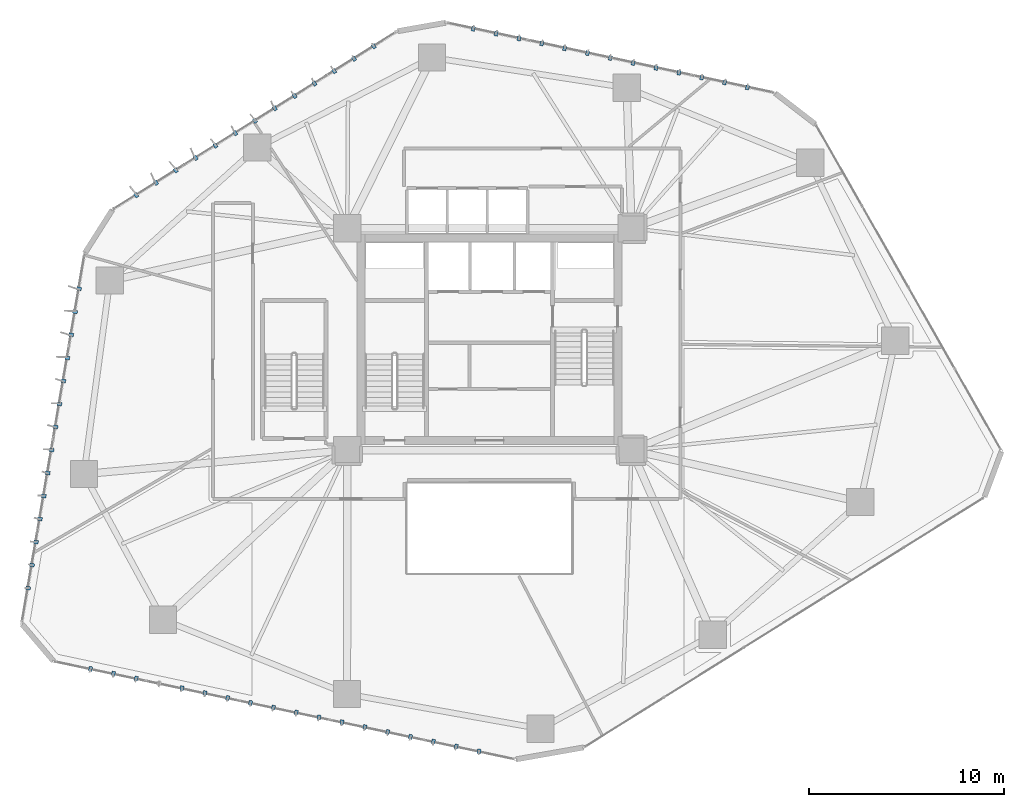
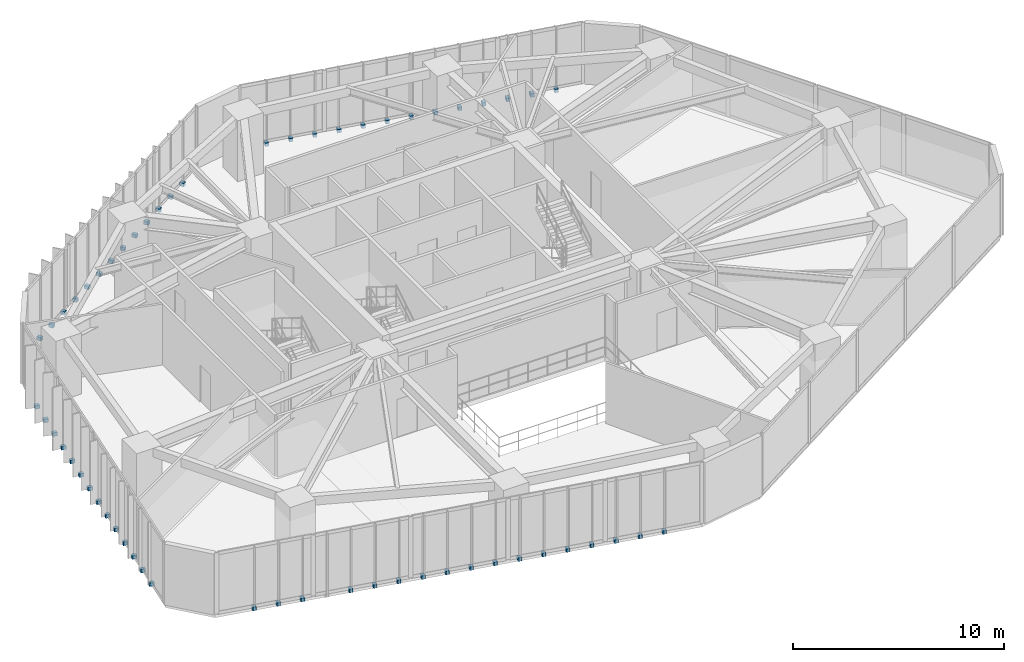
# One storey, part 19 of 22: 57 discrete accessories.
"""IFC4 building model written with IfcOpenShell, lengths in metres."""

import ifcopenshell
import ifcopenshell.guid

model = None  # the IFC model being written
_history = None  # IfcOwnerHistory: only IFC2X3 demands one
_inside = {}  # id of a spatial element -> (the spatial element, [elements in it])
_under = {}  # id of a project, library or spatial element -> (it, [spatial elements below it])
_declared = {}  # id of a project -> (the project, [libraries it declares])
_typed = {}  # id of a type object -> (the type object, [elements of that type])
_made_of = {}  # id of a material, layer set ... -> (it, [elements and type objects made of it])


def new_model(schema):
    """Start an empty IFC model of exactly this schema.

    Asked for "IFC4X3", IfcOpenShell would pick the latest addendum, in which some entities
    have other attributes; the version numbers below select the first issue.
    IFC2X3 requires an IfcOwnerHistory on every rooted entity: one is made here for all.
    """
    global model, _history
    if schema == "IFC4X3":
        model = ifcopenshell.file(schema_version=(4, 3, 0, 0))
    else:
        model = ifcopenshell.file(schema=schema)
    _inside.clear()
    _under.clear()
    _declared.clear()
    _typed.clear()
    _made_of.clear()
    _history = None
    if model.schema == "IFC2X3":
        org = make("IfcOrganization", Name="unknown")
        user = make(
            "IfcPersonAndOrganization",
            ThePerson=make("IfcPerson", FamilyName="unknown"),
            TheOrganization=org,
        )
        app = make(
            "IfcApplication",
            ApplicationDeveloper=org,
            Version="unknown",
            ApplicationFullName="unknown",
            ApplicationIdentifier="unknown",
        )
        _history = make(
            "IfcOwnerHistory",
            OwningUser=user,
            OwningApplication=app,
            ChangeAction="ADDED",
            CreationDate=0,
        )
    return model


def make(cls, **values):
    """One entity of the class cls with the attributes given. An attribute that is None is left unset."""
    return model.create_entity(
        cls, **{name: value for name, value in values.items() if value is not None}
    )


def rooted(cls, **values):
    """An entity with a GlobalId (a new one), such as an element, a storey or a relation."""
    return make(cls, GlobalId=ifcopenshell.guid.new(), OwnerHistory=_history, **values)


def si_unit(unit_type, name, prefix=None):
    """IfcSIUnit, for example si_unit("LENGTHUNIT", "METRE", prefix="MILLI")."""
    return make("IfcSIUnit", UnitType=unit_type, Prefix=prefix, Name=name)


def assignment(units):
    """IfcUnitAssignment: the units of a project."""
    return None if units is None else make("IfcUnitAssignment", Units=units)


def point(xyz):
    """IfcCartesianPoint."""
    return None if xyz is None else make("IfcCartesianPoint", Coordinates=xyz)


def direction(xyz):
    """IfcDirection."""
    return None if xyz is None else make("IfcDirection", DirectionRatios=xyz)


def frame(location, z_axis=None, x_axis=None):
    """IfcAxis2Placement3D, a coordinate frame: its origin and axes. An axis left out is left unset."""
    return make(
        "IfcAxis2Placement3D",
        Location=point(location),
        Axis=direction(z_axis),
        RefDirection=direction(x_axis),
    )


def frame_2d(location, x_axis=None):
    """IfcAxis2Placement2D, a coordinate frame in the plane: its origin and x axis."""
    return make(
        "IfcAxis2Placement2D", Location=point(location), RefDirection=direction(x_axis)
    )


def origin():
    """The frame at (0, 0, 0) with its axes left unset."""
    return frame((0.0, 0.0, 0.0))


def origin_2d():
    """The frame at (0, 0) in the plane with its x axis left unset."""
    return frame_2d((0.0, 0.0))


def place(relative_to, where):
    """IfcLocalPlacement: puts the frame where relative to a parent placement (None: the world)."""
    return make(
        "IfcLocalPlacement", PlacementRelTo=relative_to, RelativePlacement=where
    )


def context(
    kind, dimensions, precision=None, world=None, true_north=None, identifier=None
):
    """IfcGeometricRepresentationContext, for example the 3D "Model" context."""
    return make(
        "IfcGeometricRepresentationContext",
        ContextIdentifier=identifier,
        ContextType=kind,
        CoordinateSpaceDimension=dimensions,
        Precision=precision,
        WorldCoordinateSystem=world,
        TrueNorth=true_north,
    )


def subcontext(parent, identifier, kind, view, scale=None):
    """IfcGeometricRepresentationSubContext, for example "Body" below "Model"."""
    return make(
        "IfcGeometricRepresentationSubContext",
        ContextIdentifier=identifier,
        ContextType=kind,
        ParentContext=parent,
        TargetScale=scale,
        TargetView=view,
    )


def project(units=None, contexts=None):
    """IfcProject with its units and contexts."""
    return rooted(
        "IfcProject",
        Name="project",
        RepresentationContexts=contexts,
        UnitsInContext=assignment(units),
    )


def spatial(cls, under=None, at=None, **own):
    """A site, building, storey or space (cls), placed at a placement, below another one or the project."""
    s = rooted(cls, ObjectPlacement=at, **own)
    if under is not None:
        _under.setdefault(under.id(), (under, []))[1].append(s)
    return s


def profile(cls, at=None, kind="AREA", **sizes):
    """A parametric profile (cls). Its sizes go by their IFC names, for example OverallWidth=200.0."""
    return make(cls, ProfileType=kind, Position=at, **sizes)


def rectangle(**sizes):
    """IfcRectangleProfileDef."""
    return profile("IfcRectangleProfileDef", **sizes)


def extrude(swept, where, along, depth):
    """IfcExtrudedAreaSolid: the profile swept, set in the frame where, extruded along a direction by depth."""
    return make(
        "IfcExtrudedAreaSolid",
        SweptArea=swept,
        Position=where,
        ExtrudedDirection=direction(along),
        Depth=depth,
    )


def shape(context_of_items, identifier, shape_type, items):
    """IfcShapeRepresentation: the items that make up one representation, for example the "Body"."""
    return make(
        "IfcShapeRepresentation",
        ContextOfItems=context_of_items,
        RepresentationIdentifier=identifier,
        RepresentationType=shape_type,
        Items=items,
    )


def source(mapping_origin, context_of_items, identifier, shape_type, items):
    """IfcRepresentationMap: a shape defined once, which mapped items show again and again."""
    return make(
        "IfcRepresentationMap",
        MappingOrigin=mapping_origin,
        MappedRepresentation=shape(context_of_items, identifier, shape_type, items),
    )


def transform(
    local_origin,
    x_axis=None,
    y_axis=None,
    z_axis=None,
    scale=None,
    scale2=None,
    scale3=None,
    uniform=True,
):
    """IfcCartesianTransformationOperator3D, or its non-uniform kind. x_axis, y_axis, z_axis: its Axis1, 2, 3."""
    if uniform:
        return make(
            "IfcCartesianTransformationOperator3D",
            Axis1=direction(x_axis),
            Axis2=direction(y_axis),
            LocalOrigin=point(local_origin),
            Scale=scale,
            Axis3=direction(z_axis),
        )
    return make(
        "IfcCartesianTransformationOperator3DnonUniform",
        Axis1=direction(x_axis),
        Axis2=direction(y_axis),
        LocalOrigin=point(local_origin),
        Scale=scale,
        Axis3=direction(z_axis),
        Scale2=scale2,
        Scale3=scale3,
    )


def mapped(mapping_source, mapping_target):
    """IfcMappedItem: shows the shape of a source again, moved by a transform."""
    return make(
        "IfcMappedItem", MappingSource=mapping_source, MappingTarget=mapping_target
    )


def material(Name=None, Category=None):
    """IfcMaterial."""
    return make("IfcMaterial", Name=Name, Category=Category)


def made_of(thing, what):
    """Note that an element or type object is made of a material, layer set ...; save() writes the relation."""
    if what is not None:
        _made_of.setdefault(what.id(), (what, []))[1].append(thing)
    return thing


def type_object(cls, material=None, **own):
    """A type object (cls), such as IfcWallType, which elements share."""
    return made_of(rooted(cls, **own), material)


def type_shapes(of_type, sources):
    """Give a type object the sources (RepresentationMaps) that its elements show as mapped items."""
    of_type.RepresentationMaps = sources


def element(
    cls,
    number,
    at=None,
    inside=None,
    cuts=None,
    type_object=None,
    material=None,
    context=None,
    identifier="Body",
    shape_type=None,
    held_by="IfcProductDefinitionShape",
    body=None,
    shapes=None,
    **own,
):
    """One element of the class cls, such as IfcWall. Its Tag is "e" and its number.

    at: its placement. inside: the storey or other place that contains it. cuts: it is an
    opening in that element (IfcRelVoidsElement). A single representation is given by context,
    identifier, shape_type and body (its items); several are given by shapes. held_by: the class
    of the entity that holds the representations. save() writes the other relations.
    """
    e = rooted(cls, Tag="e%d" % number, ObjectPlacement=at, **own)
    if body is not None:
        shapes = [shape(context, identifier, shape_type, body)]
    if shapes is not None:
        e.Representation = make(held_by, Representations=shapes)
    if inside is not None:
        _inside.setdefault(inside.id(), (inside, []))[1].append(e)
    if cuts is not None:
        rooted(
            "IfcRelVoidsElement", RelatingBuildingElement=cuts, RelatedOpeningElement=e
        )
    if type_object is not None:
        _typed.setdefault(type_object.id(), (type_object, []))[1].append(e)
    return made_of(e, material)


def aggregate(whole, parts):
    """IfcRelAggregates: a whole, such as a stair, and the parts it consists of."""
    return rooted("IfcRelAggregates", RelatingObject=whole, RelatedObjects=parts)


def save(model, path):
    """Write the relations noted so far, then the file.

    IfcRelAggregates (storeys below a building ...), IfcRelContainedInSpatialStructure (elements
    in a storey), IfcRelDefinesByType, IfcRelAssociatesMaterial and IfcRelDeclares: one each for
    every whole, place, type object, material and project.
    """
    for whole, parts in _under.values():
        aggregate(whole, parts)
    for where, things in _inside.values():
        rooted(
            "IfcRelContainedInSpatialStructure",
            RelatedElements=things,
            RelatingStructure=where,
        )
    for kind, things in _typed.values():
        rooted("IfcRelDefinesByType", RelatedObjects=things, RelatingType=kind)
    for what, things in _made_of.values():
        rooted("IfcRelAssociatesMaterial", RelatedObjects=things, RelatingMaterial=what)
    for by, libraries in _declared.values():
        rooted("IfcRelDeclares", RelatingContext=by, RelatedDefinitions=libraries)
    model.write(path)


model = new_model("IFC4")

# Units and contexts
model_context = context("Model", 3, precision=1e-05, world=origin(), true_north=direction((0.0, 1.0)))
body_context = subcontext(model_context, "Body", "Model", "MODEL_VIEW")
ifc_project = project(units=[si_unit("LENGTHUNIT", "METRE"), si_unit("AREAUNIT", "SQUARE_METRE"), si_unit("VOLUMEUNIT", "CUBIC_METRE"), si_unit("PLANEANGLEUNIT", "RADIAN"), si_unit("MASSUNIT", "GRAM", prefix="KILO")], contexts=[model_context])

# Site, building, storey
site_placement = place(None, origin())
site = spatial("IfcSite", under=ifc_project, at=site_placement, CompositionType="ELEMENT")
building_placement = place(site_placement, origin())
building = spatial("IfcBuilding", under=site, at=building_placement, Name="Talar Marvaseh", CompositionType="ELEMENT")
storey_placement = place(building_placement, frame((0.0, 0.0, 54.39990234375)))
storey = spatial("IfcBuildingStorey", under=building, at=storey_placement, Name="L13", CompositionType="ELEMENT", Elevation=54.39990234375)

# Discrete accessories
ifc_material = material(Name="Stainless Steel Grade 316", Category="steel")
discrete_accessory_type = type_object("IfcDiscreteAccessoryType", Name="Stainless Slab-Edge Fin Mounting Bracket", PredefinedType="BRACKET", material=ifc_material)
shared_shape = source(origin(), body_context, "Body", "SweptSolid", [
    extrude(rectangle(XDim=0.239990234375, YDim=0.179931640625, at=origin_2d()), origin(), (0.0, 0.0, 1.0), 0.199951171875),
])
type_shapes(discrete_accessory_type, [shared_shape])
for number, where, z_axis, x_axis, name in (
    (1, (2.306396484375, 18.41552734375, -0.1796875), (0.0, 0.0, 1.0), (-0.985850128464, 0.167629126969, 0.0), "L13 Vertical Fin Slab-Edge Bracket"),
    (2, (2.5078125, 19.598388671875, -0.1796875), (0.0, 0.0, 1.0), (-0.985850128464, 0.167629126969, 0.0), "L13 Vertical Fin Slab-Edge Bracket"),
    (3, (2.708984375, 20.781494140625, -0.1796875), (0.0, 0.0, 1.0), (-0.985850128464, 0.167629126969, 0.0), "L13 Vertical Fin Slab-Edge Bracket"),
    (4, (2.91015625, 21.964599609375, -0.1796875), (0.0, 0.0, 1.0), (-0.985850128464, 0.167629126969, 0.0), "L13 Vertical Fin Slab-Edge Bracket"),
    (5, (3.111328125, 23.1474609375, -0.1796875), (0.0, 0.0, 1.0), (-0.985850128464, 0.167629126969, 0.0), "L13 Vertical Fin Slab-Edge Bracket"),
    (6, (3.3125, 24.33056640625, -0.1796875), (0.0, 0.0, 1.0), (-0.985850128464, 0.167629126969, 0.0), "L13 Vertical Fin Slab-Edge Bracket"),
    (7, (3.513916015625, 25.513671875, -0.1796875), (0.0, 0.0, 1.0), (-0.985850128464, 0.167629126969, 0.0), "L13 Vertical Fin Slab-Edge Bracket"),
    (8, (3.715087890625, 26.696533203125, -0.1796875), (0.0, 0.0, 1.0), (-0.985850128464, 0.167629126969, 0.0), "L13 Vertical Fin Slab-Edge Bracket"),
    (9, (3.916259765625, 27.879638671875, -0.1796875), (0.0, 0.0, 1.0), (-0.985850128464, 0.167629126969, 0.0), "L13 Vertical Fin Slab-Edge Bracket"),
    (10, (4.117431640625, 29.0625, -0.1796875), (0.0, 0.0, 1.0), (-0.985850128464, 0.167629126969, 0.0), "L13 Vertical Fin Slab-Edge Bracket"),
    (11, (4.31884765625, 30.24560546875, -0.1796875), (0.0, 0.0, 1.0), (-0.985850128464, 0.167629126969, 0.0), "L13 Vertical Fin Slab-Edge Bracket"),
    (12, (4.52001953125, 31.4287109375, -0.1796875), (0.0, 0.0, 1.0), (-0.985850128464, 0.167629126969, 0.0), "L13 Vertical Fin Slab-Edge Bracket"),
    (13, (4.72119140625, 32.611572265625, -0.1796875), (0.0, 0.0, 1.0), (-0.985850128464, 0.167629126969, 0.0), "L13 Vertical Fin Slab-Edge Bracket"),
    (14, (4.922607421875, 33.794677734375, -0.1796875), (0.0, 0.0, 1.0), (-0.985850128464, 0.167629126969, 0.0), "L13 Vertical Fin Slab-Edge Bracket"),
    (15, (7.859375, 38.6005859375, -0.1796875), (0.0, 0.0, 1.0), (-0.530954954695, 0.847400044893, 0.0), "L13 Vertical Fin Slab-Edge Bracket"),
    (16, (8.876220703125, 39.237548828125, -0.1796875), (0.0, 0.0, 1.0), (-0.530954954695, 0.847400044893, 0.0), "L13 Vertical Fin Slab-Edge Bracket"),
    (17, (9.89306640625, 39.874755859375, -0.1796875), (0.0, 0.0, 1.0), (-0.530954954695, 0.847400044893, 0.0), "L13 Vertical Fin Slab-Edge Bracket"),
    (18, (10.909912109375, 40.511962890625, -0.1796875), (0.0, 0.0, 1.0), (-0.530954954695, 0.847400044893, 0.0), "L13 Vertical Fin Slab-Edge Bracket"),
    (19, (11.927001953125, 41.14892578125, -0.1796875), (0.0, 0.0, 1.0), (-0.530954954695, 0.847400044893, 0.0), "L13 Vertical Fin Slab-Edge Bracket"),
    (20, (12.94384765625, 41.7861328125, -0.1796875), (0.0, 0.0, 1.0), (-0.530954954695, 0.847400044893, 0.0), "L13 Vertical Fin Slab-Edge Bracket"),
    (21, (13.960693359375, 42.423095703125, -0.1796875), (0.0, 0.0, 1.0), (-0.530954954695, 0.847400044893, 0.0), "L13 Vertical Fin Slab-Edge Bracket"),
    (22, (14.9775390625, 43.060302734375, -0.1796875), (0.0, 0.0, 1.0), (-0.530954954695, 0.847400044893, 0.0), "L13 Vertical Fin Slab-Edge Bracket"),
    (23, (15.994384765625, 43.697509765625, -0.1796875), (0.0, 0.0, 1.0), (-0.530954954695, 0.847400044893, 0.0), "L13 Vertical Fin Slab-Edge Bracket"),
    (24, (17.011474609375, 44.33447265625, -0.1796875), (0.0, 0.0, 1.0), (-0.530954954695, 0.847400044893, 0.0), "L13 Vertical Fin Slab-Edge Bracket"),
    (25, (18.0283203125, 44.9716796875, -0.1796875), (0.0, 0.0, 1.0), (-0.530954954695, 0.847400044893, 0.0), "L13 Vertical Fin Slab-Edge Bracket"),
    (26, (19.045166015625, 45.60888671875, -0.1796875), (0.0, 0.0, 1.0), (-0.530954954695, 0.847400044893, 0.0), "L13 Vertical Fin Slab-Edge Bracket"),
    (27, (20.06201171875, 46.245849609375, -0.1796875), (0.0, 0.0, 1.0), (-0.530954954695, 0.847400044893, 0.0), "L13 Vertical Fin Slab-Edge Bracket"),
    (28, (25.16845703125, 47.146240234375, -0.1796875), (0.0, 0.0, 1.0), (0.209106568088, 0.977892858744, 0.0), "L13 Vertical Fin Slab-Edge Bracket"),
    (29, (26.341796875, 46.8955078125, -0.1796875), (0.0, 0.0, 1.0), (0.209106568088, 0.977892858744, 0.0), "L13 Vertical Fin Slab-Edge Bracket"),
    (30, (27.515380859375, 46.64453125, -0.1796875), (0.0, 0.0, 1.0), (0.209106568088, 0.977892858744, 0.0), "L13 Vertical Fin Slab-Edge Bracket"),
    (31, (28.688720703125, 46.3935546875, -0.1796875), (0.0, 0.0, 1.0), (0.209106568088, 0.977892858744, 0.0), "L13 Vertical Fin Slab-Edge Bracket"),
    (32, (29.8623046875, 46.142578125, -0.1796875), (0.0, 0.0, 1.0), (0.209106568088, 0.977892858744, 0.0), "L13 Vertical Fin Slab-Edge Bracket"),
    (33, (31.035888671875, 45.891845703125, -0.1796875), (0.0, 0.0, 1.0), (0.209106568088, 0.977892858744, 0.0), "L13 Vertical Fin Slab-Edge Bracket"),
    (34, (32.209228515625, 45.640869140625, -0.1796875), (0.0, 0.0, 1.0), (0.209106568088, 0.977892858744, 0.0), "L13 Vertical Fin Slab-Edge Bracket"),
    (35, (33.3828125, 45.389892578125, -0.1796875), (0.0, 0.0, 1.0), (0.209106568088, 0.977892858744, 0.0), "L13 Vertical Fin Slab-Edge Bracket"),
    (36, (34.55615234375, 45.13916015625, -0.1796875), (0.0, 0.0, 1.0), (0.209106568088, 0.977892858744, 0.0), "L13 Vertical Fin Slab-Edge Bracket"),
    (37, (35.729736328125, 44.88818359375, -0.1796875), (0.0, 0.0, 1.0), (0.209106568088, 0.977892858744, 0.0), "L13 Vertical Fin Slab-Edge Bracket"),
    (38, (36.9033203125, 44.637451171875, -0.1796875), (0.0, 0.0, 1.0), (0.209106568088, 0.977892858744, 0.0), "L13 Vertical Fin Slab-Edge Bracket"),
    (39, (38.07666015625, 44.386474609375, -0.1796875), (0.0, 0.0, 1.0), (0.209106568088, 0.977892858744, 0.0), "L13 Vertical Fin Slab-Edge Bracket"),
    (40, (39.25, 44.135498046875, -0.1796875), (0.0, 0.0, 1.0), (0.209106568088, 0.977892858744, 0.0), "L13 Vertical Fin Slab-Edge Bracket"),
    (41, (25.467529296875, 10.03564453125, -0.1796875), (0.0, 0.0, 1.0), (-0.20774096869, -0.978183873271, 0.0), "L13 Vertical Fin Slab-Edge Bracket"),
    (42, (24.293701171875, 10.284912109375, -0.1796875), (0.0, 0.0, 1.0), (-0.20774096869, -0.978183873271, 0.0), "L13 Vertical Fin Slab-Edge Bracket"),
    (43, (23.119873046875, 10.5341796875, -0.1796875), (0.0, 0.0, 1.0), (-0.20774096869, -0.978183873271, 0.0), "L13 Vertical Fin Slab-Edge Bracket"),
    (44, (21.946044921875, 10.783447265625, -0.1796875), (0.0, 0.0, 1.0), (-0.20774096869, -0.978183873271, 0.0), "L13 Vertical Fin Slab-Edge Bracket"),
    (45, (20.772216796875, 11.03271484375, -0.1796875), (0.0, 0.0, 1.0), (-0.20774096869, -0.978183873271, 0.0), "L13 Vertical Fin Slab-Edge Bracket"),
    (46, (19.598388671875, 11.281982421875, -0.1796875), (0.0, 0.0, 1.0), (-0.20774096869, -0.978183873271, 0.0), "L13 Vertical Fin Slab-Edge Bracket"),
    (47, (18.424560546875, 11.531494140625, -0.1796875), (0.0, 0.0, 1.0), (-0.20774096869, -0.978183873271, 0.0), "L13 Vertical Fin Slab-Edge Bracket"),
    (48, (17.250732421875, 11.78076171875, -0.1796875), (0.0, 0.0, 1.0), (-0.20774096869, -0.978183873271, 0.0), "L13 Vertical Fin Slab-Edge Bracket"),
    (49, (16.076904296875, 12.030029296875, -0.1796875), (0.0, 0.0, 1.0), (-0.20774096869, -0.978183873271, 0.0), "L13 Vertical Fin Slab-Edge Bracket"),
    (50, (14.903076171875, 12.279296875, -0.1796875), (0.0, 0.0, 1.0), (-0.20774096869, -0.978183873271, 0.0), "L13 Vertical Fin Slab-Edge Bracket"),
    (51, (13.729248046875, 12.52880859375, -0.1796875), (0.0, 0.0, 1.0), (-0.20774096869, -0.978183873271, 0.0), "L13 Vertical Fin Slab-Edge Bracket"),
    (52, (12.555419921875, 12.778076171875, -0.1796875), (0.0, 0.0, 1.0), (-0.20774096869, -0.978183873271, 0.0), "L13 Vertical Fin Slab-Edge Bracket"),
    (53, (11.381591796875, 13.02734375, -0.1796875), (0.0, 0.0, 1.0), (-0.20774096869, -0.978183873271, 0.0), "L13 Vertical Fin Slab-Edge Bracket"),
    (54, (10.2080078125, 13.276611328125, -0.1796875), (0.0, 0.0, 1.0), (-0.20774096869, -0.978183873271, 0.0), "L13 Vertical Fin Slab-Edge Bracket"),
    (55, (7.860107421875, 13.775146484375, -0.1796875), (0.0, 0.0, 1.0), (-0.20774096869, -0.978183873271, 0.0), "L13 Vertical Fin Slab-Edge Bracket"),
    (56, (6.686279296875, 14.0244140625, -0.1796875), (0.0, 0.0, 1.0), (-0.20774096869, -0.978183873271, 0.0), "L13 Vertical Fin Slab-Edge Bracket"),
    (57, (5.5126953125, 14.27392578125, -0.1796875), (0.0, 0.0, 1.0), (-0.20774096869, -0.978183873271, 0.0), "L13 Vertical Fin Slab-Edge Bracket"),
):
    element("IfcDiscreteAccessory", number, at=place(storey_placement, frame(where, z_axis=z_axis, x_axis=x_axis)), inside=storey, type_object=discrete_accessory_type, Name=name, PredefinedType="BRACKET", context=body_context, shape_type="MappedRepresentation", body=[
        mapped(shared_shape, transform((0.0, 0.0, 0.0), x_axis=(1.0, 0.0, 0.0), y_axis=(0.0, 1.0, 0.0), z_axis=(0.0, 0.0, 1.0), scale=1.0)),
    ])

save(model, "model.ifc")
